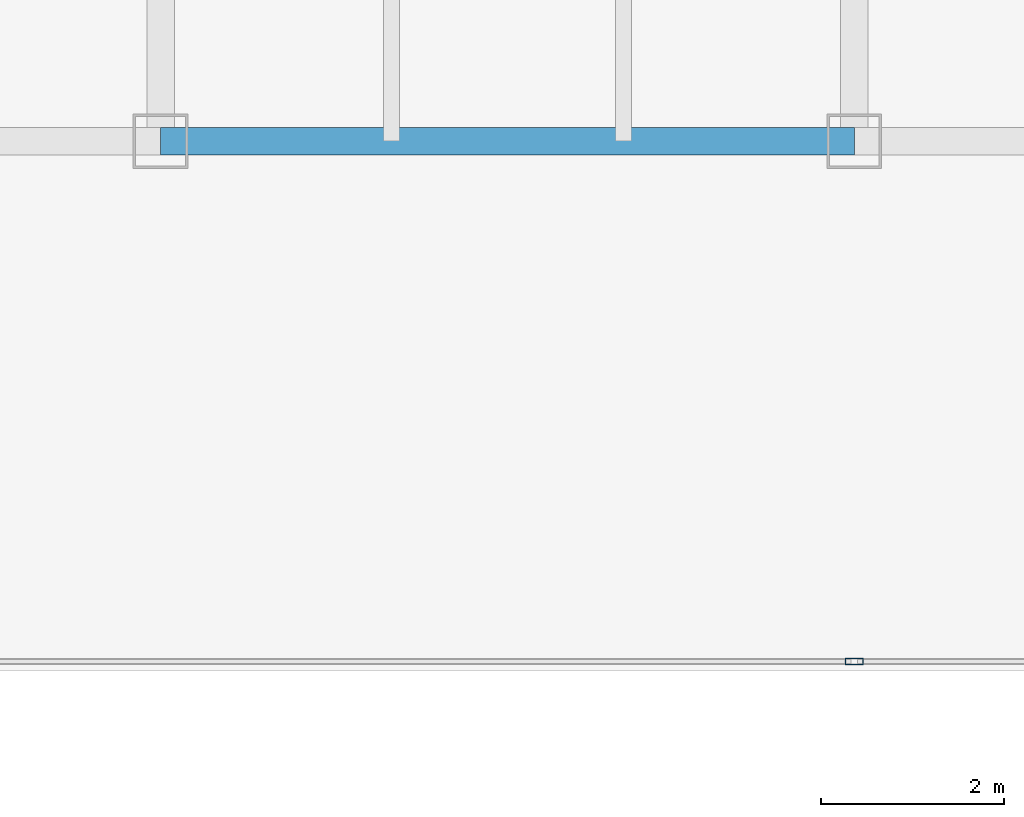
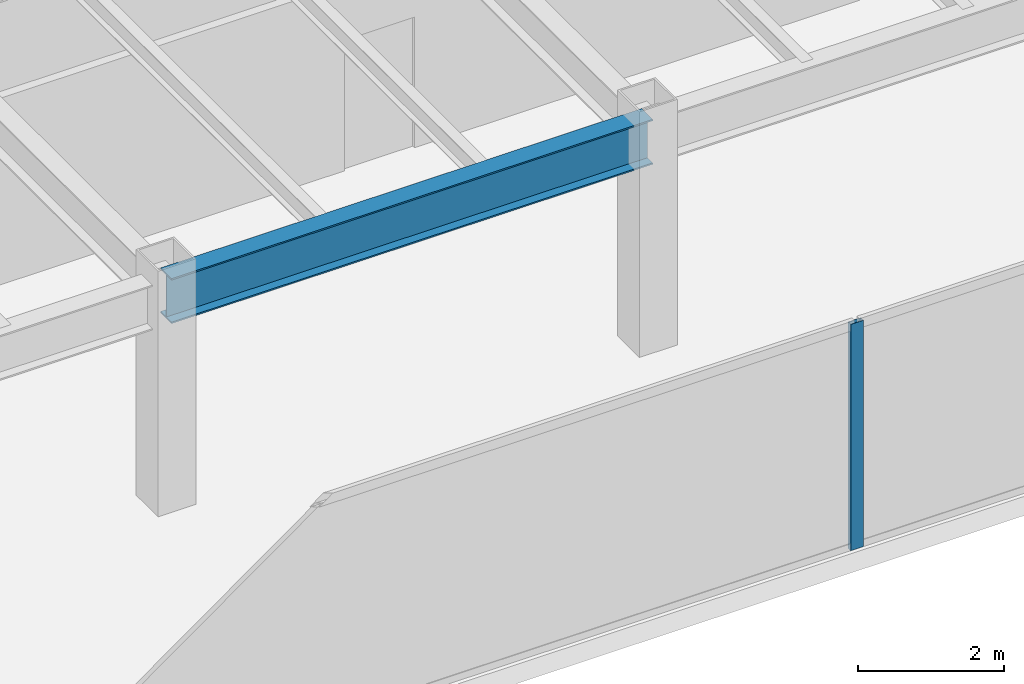
# One storey, part 8 of 35: 1 beam, 1 member, 1 element without a shape of its own.
"""IFC4 building model written with IfcOpenShell, lengths in metres."""

from ifc_helpers import new_model, si_unit, direction, frame, origin, origin_2d, place, context, subcontext, project, spatial, hollow_rectangle, i_section, extrude, source, transform, mapped, material, layer, layer_set, material_profile, profile_set, type_object, type_shapes, element, aggregate, save


model = new_model("IFC4")

# Units and contexts
model_context = context("Model", 3, precision=1e-05, world=origin(), true_north=direction((0.0, 1.0)))
body_context = subcontext(model_context, "Body", "Model", "MODEL_VIEW")
ifc_project = project(units=[si_unit("LENGTHUNIT", "METRE"), si_unit("AREAUNIT", "SQUARE_METRE"), si_unit("VOLUMEUNIT", "CUBIC_METRE"), si_unit("PLANEANGLEUNIT", "RADIAN"), si_unit("MASSUNIT", "GRAM", prefix="KILO")], contexts=[model_context])

# Site, building, storey
site_placement = place(None, origin())
site = spatial("IfcSite", under=ifc_project, at=site_placement, CompositionType="ELEMENT")
building_placement = place(site_placement, origin())
building = spatial("IfcBuilding", under=site, at=building_placement, Name="Haelvirn Gate Laboratories", CompositionType="ELEMENT")
storey_placement = place(building_placement, frame((0.0, 0.0, 90.800048828125)))
storey = spatial("IfcBuildingStorey", under=building, at=storey_placement, Name="L22", CompositionType="ELEMENT", Elevation=90.800048828125)

# Beam
ifc_material_1 = material(Name="Steel SM355", Category="steel")
ifc_material_profile_1 = material_profile(ifc_material_1, i_section(OverallWidth=0.300048828125, OverallDepth=0.75, WebThickness=0.013916015625, FlangeThickness=0.02392578125, at=origin_2d()), Name="H-750x300x14x24")
ifc_profile_set_1 = profile_set([ifc_material_profile_1], Name="Steel SM355")
beam_type = type_object("IfcBeamType", Name="BM-G-750", PredefinedType="BEAM", material=ifc_profile_set_1)
shared_shape_1 = source(origin(), body_context, "Body", "SweptSolid", [
    extrude(i_section(OverallWidth=0.300048828125, OverallDepth=0.75, WebThickness=0.013916015625, FlangeThickness=0.02392578125, at=origin_2d()), origin(), (0.0, 0.0, 1.0), 7.599853515625),
])
type_shapes(beam_type, [shared_shape_1])
beam_placement = place(storey_placement, frame((29.800048828125, 7.0, 3.405029296875), z_axis=(1.0, 0.0, 0.0), x_axis=(0.0, 1.0, 0.0)))
element("IfcBeam", 1, at=beam_placement, inside=storey, type_object=beam_type, Name="L22 Primary Girder Y7.0 (29.8-37.4)", PredefinedType="BEAM", context=body_context, shape_type="MappedRepresentation", body=[
    mapped(shared_shape_1, transform((0.0, 0.0, 0.0), scale=1.0)),
])

# Curtain wall, member
ifc_material_2 = material(Name="Anodised bronze unitised aluminium & triple low-E glass", Category="aluminium")
ifc_layer = layer(ifc_material_2, 0.18408203125, Name="CW-SYS-2")
ifc_layer_set = layer_set([ifc_layer], Name="Anodised bronze unitised aluminium & triple low-E glass")
curtain_wall_type = type_object("IfcCurtainWallType", Name="CW-SYS-2", PredefinedType="NOTDEFINED", material=ifc_layer_set)
curtain_wall_placement = place(storey_placement, origin())
curtain_wall = element("IfcCurtainWall", 2, at=curtain_wall_placement, inside=storey, type_object=curtain_wall_type, Name="L22 Unitised Curtain Wall CW-L22-P0-E02-1", PredefinedType="NOTDEFINED")
ifc_material_3 = material(Name="Extruded aluminium 6063-T6 (anodised bronze)", Category="aluminium")
ifc_material_profile_2 = material_profile(ifc_material_3, hollow_rectangle(XDim=0.074951171875, YDim=0.199951171875, WallThickness=0.0048828125, at=origin_2d()), Name="CWM-200x75x5")
ifc_profile_set_2 = profile_set([ifc_material_profile_2], Name="Extruded aluminium 6063-T6 (anodised bronze)")
member_type = type_object("IfcMemberType", Name="CWM-T200", PredefinedType="MULLION", material=ifc_profile_set_2)
shared_shape_2 = source(origin(), body_context, "Body", "SweptSolid", [
    extrude(hollow_rectangle(XDim=0.074951171875, YDim=0.199951171875, WallThickness=0.0048828125, at=origin_2d()), origin(), (0.0, 0.0, 1.0), 3.780029296875),
])
type_shapes(member_type, [shared_shape_2])
member_placement = place(storey_placement, frame((37.39990234375, 1.300048828125, 0.0), z_axis=(0.0, 0.0, 1.0), x_axis=(0.0, 1.0, 0.0)))
member = element("IfcMember", 3, at=member_placement, type_object=member_type, Name="CW2 mullion 2", PredefinedType="MULLION", context=body_context, shape_type="MappedRepresentation", body=[
    mapped(shared_shape_2, transform((0.0, 0.0, 0.0), scale=1.0)),
])
aggregate(curtain_wall, [member])

save(model, "model.ifc")
